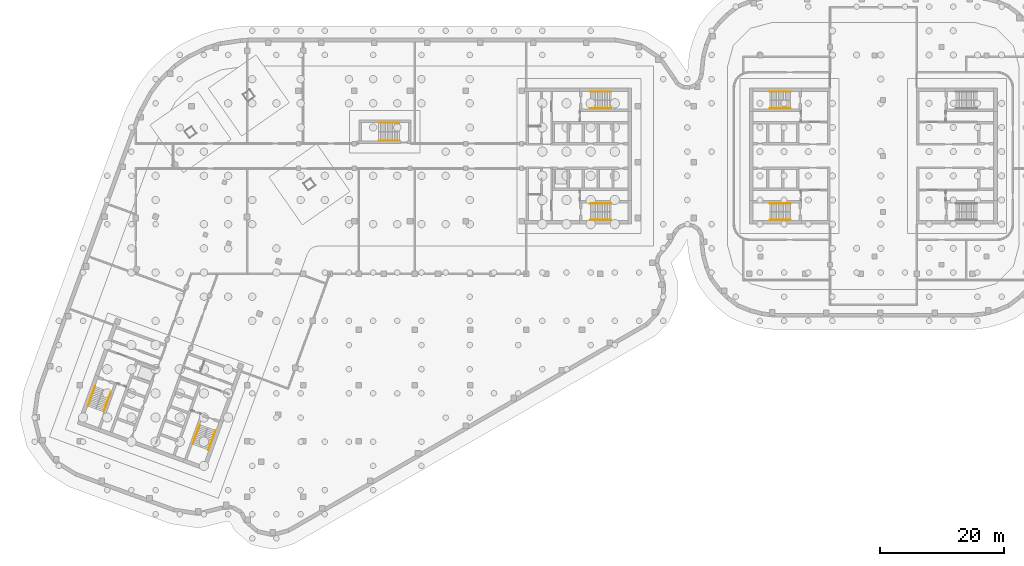
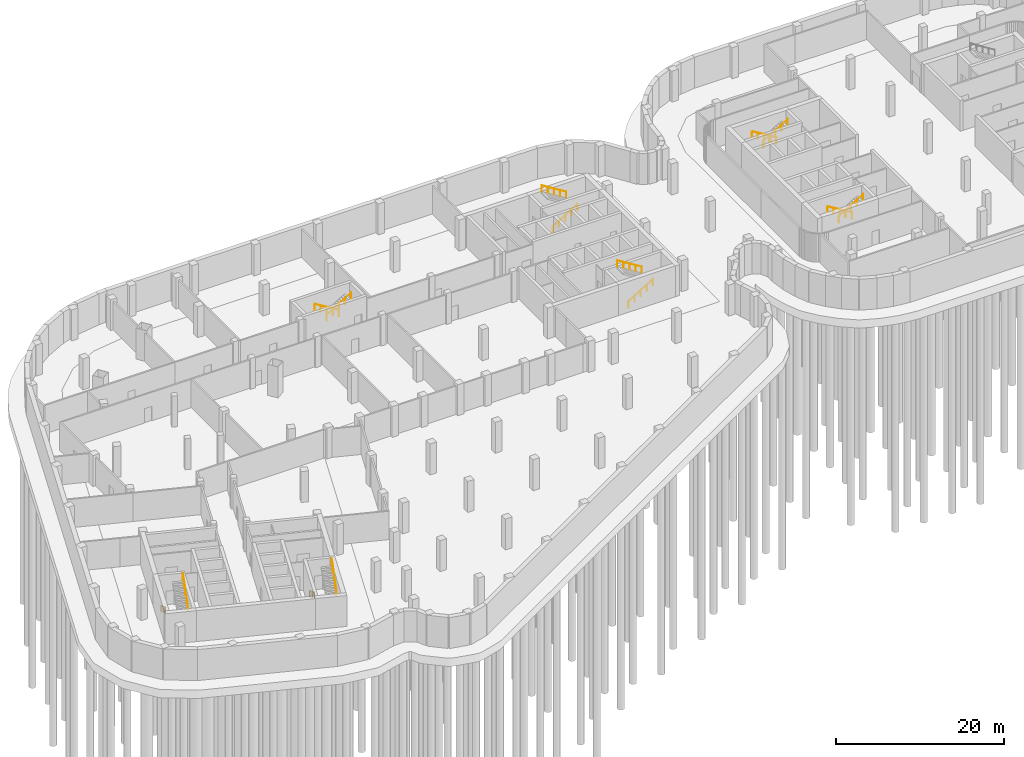
# One storey, part 16 of 18: 14 railings.
"""IFC4 building model written with IfcOpenShell, lengths in metres."""

from ifc_helpers import new_model, si_unit, direction, frame, origin, origin_2d, place, context, subcontext, project, spatial, circle, extrude, material, type_object, element, save


model = new_model("IFC4")

# Units and contexts
model_context = context("Model", 3, precision=1e-05, world=origin(), true_north=direction((0.0, 1.0)))
body_context = subcontext(model_context, "Body", "Model", "MODEL_VIEW")
ifc_project = project(units=[si_unit("LENGTHUNIT", "METRE"), si_unit("AREAUNIT", "SQUARE_METRE"), si_unit("VOLUMEUNIT", "CUBIC_METRE"), si_unit("PLANEANGLEUNIT", "RADIAN"), si_unit("MASSUNIT", "GRAM", prefix="KILO")], contexts=[model_context])

# Site, building, storey
site_placement = place(None, origin())
site = spatial("IfcSite", under=ifc_project, at=site_placement, CompositionType="ELEMENT")
building_placement = place(site_placement, origin())
building = spatial("IfcBuilding", under=site, at=building_placement, Name="Skarvind Civic Tower", CompositionType="ELEMENT")
storey_placement = place(building_placement, frame((0.0, 0.0, -9.0)))
storey = spatial("IfcBuildingStorey", under=building, at=storey_placement, Name="B2", CompositionType="ELEMENT", Elevation=-9.0)

# Railings
ifc_material = material(Name="Painted steel handrail", Category="steel")
railing_type = type_object("IfcRailingType", Name="Stair handrail 900", PredefinedType="HANDRAIL", material=ifc_material)
railing_1_placement = place(storey_placement, frame((101.35009765625, 135.64990234375, 0.173095703125)))
element("IfcRailing", 1, at=railing_1_placement, inside=storey, type_object=railing_type, Name="Stair handrail", PredefinedType="HANDRAIL", context=body_context, shape_type="SweptSolid", body=[
    extrude(circle(Radius=0.02392578125, at=origin_2d()), frame((0.0, 0.0, 0.8759765625), z_axis=(0.850606129759, 0.0, 0.525803396734), x_axis=(0.0, 1.0, 0.0)), (0.0, 0.0, 1.0), 3.949951171875),
    extrude(circle(Radius=0.02099609375, at=origin_2d()), origin(), (0.0, 0.0, 1.0), 0.851806640625),
    extrude(circle(Radius=0.02099609375, at=origin_2d()), frame((0.83984375, 0.0, 0.519287109375)), (0.0, 0.0, 1.0), 0.851806640625),
    extrude(circle(Radius=0.02099609375, at=origin_2d()), frame((1.679931640625, 0.0, 1.03857421875)), (0.0, 0.0, 1.0), 0.851806640625),
    extrude(circle(Radius=0.02099609375, at=origin_2d()), frame((2.52001953125, 0.0, 1.5576171875)), (0.0, 0.0, 1.0), 0.851806640625),
    extrude(circle(Radius=0.02099609375, at=origin_2d()), frame((3.35986328125, 0.0, 2.076904296875)), (0.0, 0.0, 1.0), 0.851806640625),
])
railing_2_placement = place(storey_placement, frame((104.7099609375, 138.35009765625, 2.423095703125)))
element("IfcRailing", 2, at=railing_2_placement, inside=storey, type_object=railing_type, Name="Stair handrail", PredefinedType="HANDRAIL", context=body_context, shape_type="SweptSolid", body=[
    extrude(circle(Radius=0.02392578125, at=origin_2d()), frame((0.0, 0.0, 0.8759765625), z_axis=(-0.850606129759, 0.0, 0.525803396734), x_axis=(0.0, -1.0, 0.0)), (0.0, 0.0, 1.0), 3.949951171875),
    extrude(circle(Radius=0.02099609375, at=origin_2d()), origin(), (0.0, 0.0, 1.0), 0.851806640625),
    extrude(circle(Radius=0.02099609375, at=origin_2d()), frame((-0.83984375, 0.0, 0.519287109375)), (0.0, 0.0, 1.0), 0.851806640625),
    extrude(circle(Radius=0.02099609375, at=origin_2d()), frame((-1.679931640625, 0.0, 1.03857421875)), (0.0, 0.0, 1.0), 0.851806640625),
    extrude(circle(Radius=0.02099609375, at=origin_2d()), frame((-2.52001953125, 0.0, 1.5576171875)), (0.0, 0.0, 1.0), 0.851806640625),
    extrude(circle(Radius=0.02099609375, at=origin_2d()), frame((-3.35986328125, 0.0, 2.076904296875)), (0.0, 0.0, 1.0), 0.851806640625),
])
railing_3_placement = place(storey_placement, frame((101.35009765625, 117.64990234375, 0.173095703125)))
element("IfcRailing", 3, at=railing_3_placement, inside=storey, type_object=railing_type, Name="Stair handrail", PredefinedType="HANDRAIL", context=body_context, shape_type="SweptSolid", body=[
    extrude(circle(Radius=0.02392578125, at=origin_2d()), frame((0.0, 0.0, 0.8759765625), z_axis=(0.850606129759, 0.0, 0.525803396734), x_axis=(0.0, 1.0, 0.0)), (0.0, 0.0, 1.0), 3.949951171875),
    extrude(circle(Radius=0.02099609375, at=origin_2d()), origin(), (0.0, 0.0, 1.0), 0.851806640625),
    extrude(circle(Radius=0.02099609375, at=origin_2d()), frame((0.83984375, 0.0, 0.519287109375)), (0.0, 0.0, 1.0), 0.851806640625),
    extrude(circle(Radius=0.02099609375, at=origin_2d()), frame((1.679931640625, 0.0, 1.03857421875)), (0.0, 0.0, 1.0), 0.851806640625),
    extrude(circle(Radius=0.02099609375, at=origin_2d()), frame((2.52001953125, 0.0, 1.5576171875)), (0.0, 0.0, 1.0), 0.851806640625),
    extrude(circle(Radius=0.02099609375, at=origin_2d()), frame((3.35986328125, 0.0, 2.076904296875)), (0.0, 0.0, 1.0), 0.851806640625),
])
railing_4_placement = place(storey_placement, frame((104.7099609375, 120.35009765625, 2.423095703125)))
element("IfcRailing", 4, at=railing_4_placement, inside=storey, type_object=railing_type, Name="Stair handrail", PredefinedType="HANDRAIL", context=body_context, shape_type="SweptSolid", body=[
    extrude(circle(Radius=0.02392578125, at=origin_2d()), frame((0.0, 0.0, 0.8759765625), z_axis=(-0.850606129759, 0.0, 0.525803396734), x_axis=(0.0, -1.0, 0.0)), (0.0, 0.0, 1.0), 3.949951171875),
    extrude(circle(Radius=0.02099609375, at=origin_2d()), origin(), (0.0, 0.0, 1.0), 0.851806640625),
    extrude(circle(Radius=0.02099609375, at=origin_2d()), frame((-0.83984375, 0.0, 0.519287109375)), (0.0, 0.0, 1.0), 0.851806640625),
    extrude(circle(Radius=0.02099609375, at=origin_2d()), frame((-1.679931640625, 0.0, 1.03857421875)), (0.0, 0.0, 1.0), 0.851806640625),
    extrude(circle(Radius=0.02099609375, at=origin_2d()), frame((-2.52001953125, 0.0, 1.5576171875)), (0.0, 0.0, 1.0), 0.851806640625),
    extrude(circle(Radius=0.02099609375, at=origin_2d()), frame((-3.35986328125, 0.0, 2.076904296875)), (0.0, 0.0, 1.0), 0.851806640625),
])
railing_5_placement = place(storey_placement, frame((38.362060546875, 84.64794921875, 0.173095703125)))
element("IfcRailing", 5, at=railing_5_placement, inside=storey, type_object=railing_type, Name="Stair handrail", PredefinedType="HANDRAIL", context=body_context, shape_type="SweptSolid", body=[
    extrude(circle(Radius=0.02392578125, at=origin_2d()), frame((0.0, 0.0, 0.8759765625), z_axis=(-0.290917494886, -0.799327801436, 0.525777592733), x_axis=(0.939697922535, -0.342005576538, 0.0)), (0.0, 0.0, 1.0), 3.9501953125),
    extrude(circle(Radius=0.02099609375, at=origin_2d()), origin(), (0.0, 0.0, 1.0), 0.851806640625),
    extrude(circle(Radius=0.02099609375, at=origin_2d()), frame((-0.287353515625, -0.789306640625, 0.519287109375)), (0.0, 0.0, 1.0), 0.851806640625),
    extrude(circle(Radius=0.02099609375, at=origin_2d()), frame((-0.57470703125, -1.57861328125, 1.03857421875)), (0.0, 0.0, 1.0), 0.851806640625),
    extrude(circle(Radius=0.02099609375, at=origin_2d()), frame((-0.86181640625, -2.3681640625, 1.5576171875)), (0.0, 0.0, 1.0), 0.851806640625),
    extrude(circle(Radius=0.02099609375, at=origin_2d()), frame((-1.149169921875, -3.157470703125, 2.076904296875)), (0.0, 0.0, 1.0), 0.851806640625),
])
railing_6_placement = place(storey_placement, frame((39.75, 80.567138671875, 2.423095703125)))
element("IfcRailing", 6, at=railing_6_placement, inside=storey, type_object=railing_type, Name="Stair handrail", PredefinedType="HANDRAIL", context=body_context, shape_type="SweptSolid", body=[
    extrude(circle(Radius=0.02392578125, at=origin_2d()), frame((0.0, 0.0, 0.8759765625), z_axis=(0.290931867501, 0.799305483434, 0.525803568479), x_axis=(-0.939689422908, 0.342028929294, 0.0)), (0.0, 0.0, 1.0), 3.949951171875),
    extrude(circle(Radius=0.02099609375, at=origin_2d()), origin(), (0.0, 0.0, 1.0), 0.851806640625),
    extrude(circle(Radius=0.02099609375, at=origin_2d()), frame((0.287353515625, 0.789306640625, 0.519287109375)), (0.0, 0.0, 1.0), 0.851806640625),
    extrude(circle(Radius=0.02099609375, at=origin_2d()), frame((0.57470703125, 1.57861328125, 1.03857421875)), (0.0, 0.0, 1.0), 0.851806640625),
    extrude(circle(Radius=0.02099609375, at=origin_2d()), frame((0.86181640625, 2.367919921875, 1.5576171875)), (0.0, 0.0, 1.0), 0.851806640625),
    extrude(circle(Radius=0.02099609375, at=origin_2d()), frame((1.149169921875, 3.1572265625, 2.076904296875)), (0.0, 0.0, 1.0), 0.851806640625),
])
railing_7_placement = place(storey_placement, frame((21.447509765625, 90.80419921875, 0.173095703125)))
element("IfcRailing", 7, at=railing_7_placement, inside=storey, type_object=railing_type, Name="Stair handrail", PredefinedType="HANDRAIL", context=body_context, shape_type="SweptSolid", body=[
    extrude(circle(Radius=0.02392578125, at=origin_2d()), frame((0.0, 0.0, 0.8759765625), z_axis=(-0.290931867501, -0.799305483434, 0.525803568479), x_axis=(0.939689422908, -0.342028929294, 0.0)), (0.0, 0.0, 1.0), 3.949951171875),
    extrude(circle(Radius=0.02099609375, at=origin_2d()), origin(), (0.0, 0.0, 1.0), 0.851806640625),
    extrude(circle(Radius=0.02099609375, at=origin_2d()), frame((-0.287353515625, -0.789306640625, 0.519287109375)), (0.0, 0.0, 1.0), 0.851806640625),
    extrude(circle(Radius=0.02099609375, at=origin_2d()), frame((-0.57470703125, -1.57861328125, 1.03857421875)), (0.0, 0.0, 1.0), 0.851806640625),
    extrude(circle(Radius=0.02099609375, at=origin_2d()), frame((-0.86181640625, -2.367919921875, 1.5576171875)), (0.0, 0.0, 1.0), 0.851806640625),
    extrude(circle(Radius=0.02099609375, at=origin_2d()), frame((-1.149169921875, -3.1572265625, 2.076904296875)), (0.0, 0.0, 1.0), 0.851806640625),
])
railing_8_placement = place(storey_placement, frame((22.835693359375, 86.723388671875, 2.423095703125)))
element("IfcRailing", 8, at=railing_8_placement, inside=storey, type_object=railing_type, Name="Stair handrail", PredefinedType="HANDRAIL", context=body_context, shape_type="SweptSolid", body=[
    extrude(circle(Radius=0.02392578125, at=origin_2d()), frame((0.0, 0.0, 0.8759765625), z_axis=(0.290917494886, 0.799327801436, 0.525777592733), x_axis=(-0.939697922535, 0.342005576538, 0.0)), (0.0, 0.0, 1.0), 3.9501953125),
    extrude(circle(Radius=0.02099609375, at=origin_2d()), origin(), (0.0, 0.0, 1.0), 0.851806640625),
    extrude(circle(Radius=0.02099609375, at=origin_2d()), frame((0.287353515625, 0.789306640625, 0.519287109375)), (0.0, 0.0, 1.0), 0.851806640625),
    extrude(circle(Radius=0.02099609375, at=origin_2d()), frame((0.57470703125, 1.57861328125, 1.03857421875)), (0.0, 0.0, 1.0), 0.851806640625),
    extrude(circle(Radius=0.02099609375, at=origin_2d()), frame((0.86181640625, 2.3681640625, 1.5576171875)), (0.0, 0.0, 1.0), 0.851806640625),
    extrude(circle(Radius=0.02099609375, at=origin_2d()), frame((1.149169921875, 3.157470703125, 2.076904296875)), (0.0, 0.0, 1.0), 0.851806640625),
])
railing_9_placement = place(storey_placement, frame((133.64990234375, 120.35009765625, 0.173095703125)))
element("IfcRailing", 9, at=railing_9_placement, inside=storey, type_object=railing_type, Name="Stair handrail", PredefinedType="HANDRAIL", context=body_context, shape_type="SweptSolid", body=[
    extrude(circle(Radius=0.02392578125, at=origin_2d()), frame((0.0, 0.0, 0.8759765625), z_axis=(-0.850606129759, 0.0, 0.525803396734), x_axis=(0.0, -1.0, 0.0)), (0.0, 0.0, 1.0), 3.949951171875),
    extrude(circle(Radius=0.02099609375, at=origin_2d()), origin(), (0.0, 0.0, 1.0), 0.851806640625),
    extrude(circle(Radius=0.02099609375, at=origin_2d()), frame((-0.83984375, 0.0, 0.519287109375)), (0.0, 0.0, 1.0), 0.851806640625),
    extrude(circle(Radius=0.02099609375, at=origin_2d()), frame((-1.679931640625, 0.0, 1.03857421875)), (0.0, 0.0, 1.0), 0.851806640625),
    extrude(circle(Radius=0.02099609375, at=origin_2d()), frame((-2.52001953125, 0.0, 1.5576171875)), (0.0, 0.0, 1.0), 0.851806640625),
    extrude(circle(Radius=0.02099609375, at=origin_2d()), frame((-3.35986328125, 0.0, 2.076904296875)), (0.0, 0.0, 1.0), 0.851806640625),
])
railing_10_placement = place(storey_placement, frame((130.2900390625, 117.64990234375, 2.423095703125)))
element("IfcRailing", 10, at=railing_10_placement, inside=storey, type_object=railing_type, Name="Stair handrail", PredefinedType="HANDRAIL", context=body_context, shape_type="SweptSolid", body=[
    extrude(circle(Radius=0.02392578125, at=origin_2d()), frame((0.0, 0.0, 0.8759765625), z_axis=(0.850606129759, 0.0, 0.525803396734), x_axis=(0.0, 1.0, 0.0)), (0.0, 0.0, 1.0), 3.949951171875),
    extrude(circle(Radius=0.02099609375, at=origin_2d()), origin(), (0.0, 0.0, 1.0), 0.851806640625),
    extrude(circle(Radius=0.02099609375, at=origin_2d()), frame((0.83984375, 0.0, 0.519287109375)), (0.0, 0.0, 1.0), 0.851806640625),
    extrude(circle(Radius=0.02099609375, at=origin_2d()), frame((1.679931640625, 0.0, 1.03857421875)), (0.0, 0.0, 1.0), 0.851806640625),
    extrude(circle(Radius=0.02099609375, at=origin_2d()), frame((2.52001953125, 0.0, 1.5576171875)), (0.0, 0.0, 1.0), 0.851806640625),
    extrude(circle(Radius=0.02099609375, at=origin_2d()), frame((3.35986328125, 0.0, 2.076904296875)), (0.0, 0.0, 1.0), 0.851806640625),
])
railing_11_placement = place(storey_placement, frame((133.64990234375, 138.35009765625, 0.173095703125)))
element("IfcRailing", 11, at=railing_11_placement, inside=storey, type_object=railing_type, Name="Stair handrail", PredefinedType="HANDRAIL", context=body_context, shape_type="SweptSolid", body=[
    extrude(circle(Radius=0.02392578125, at=origin_2d()), frame((0.0, 0.0, 0.8759765625), z_axis=(-0.850606129759, 0.0, 0.525803396734), x_axis=(0.0, -1.0, 0.0)), (0.0, 0.0, 1.0), 3.949951171875),
    extrude(circle(Radius=0.02099609375, at=origin_2d()), origin(), (0.0, 0.0, 1.0), 0.851806640625),
    extrude(circle(Radius=0.02099609375, at=origin_2d()), frame((-0.83984375, 0.0, 0.519287109375)), (0.0, 0.0, 1.0), 0.851806640625),
    extrude(circle(Radius=0.02099609375, at=origin_2d()), frame((-1.679931640625, 0.0, 1.03857421875)), (0.0, 0.0, 1.0), 0.851806640625),
    extrude(circle(Radius=0.02099609375, at=origin_2d()), frame((-2.52001953125, 0.0, 1.5576171875)), (0.0, 0.0, 1.0), 0.851806640625),
    extrude(circle(Radius=0.02099609375, at=origin_2d()), frame((-3.35986328125, 0.0, 2.076904296875)), (0.0, 0.0, 1.0), 0.851806640625),
])
railing_12_placement = place(storey_placement, frame((130.2900390625, 135.64990234375, 2.423095703125)))
element("IfcRailing", 12, at=railing_12_placement, inside=storey, type_object=railing_type, Name="Stair handrail", PredefinedType="HANDRAIL", context=body_context, shape_type="SweptSolid", body=[
    extrude(circle(Radius=0.02392578125, at=origin_2d()), frame((0.0, 0.0, 0.8759765625), z_axis=(0.850606129759, 0.0, 0.525803396734), x_axis=(0.0, 1.0, 0.0)), (0.0, 0.0, 1.0), 3.949951171875),
    extrude(circle(Radius=0.02099609375, at=origin_2d()), origin(), (0.0, 0.0, 1.0), 0.851806640625),
    extrude(circle(Radius=0.02099609375, at=origin_2d()), frame((0.83984375, 0.0, 0.519287109375)), (0.0, 0.0, 1.0), 0.851806640625),
    extrude(circle(Radius=0.02099609375, at=origin_2d()), frame((1.679931640625, 0.0, 1.03857421875)), (0.0, 0.0, 1.0), 0.851806640625),
    extrude(circle(Radius=0.02099609375, at=origin_2d()), frame((2.52001953125, 0.0, 1.5576171875)), (0.0, 0.0, 1.0), 0.851806640625),
    extrude(circle(Radius=0.02099609375, at=origin_2d()), frame((3.35986328125, 0.0, 2.076904296875)), (0.0, 0.0, 1.0), 0.851806640625),
])
railing_13_placement = place(storey_placement, frame((70.550048828125, 133.35009765625, 0.173095703125)))
element("IfcRailing", 13, at=railing_13_placement, inside=storey, type_object=railing_type, Name="Stair handrail", PredefinedType="HANDRAIL", context=body_context, shape_type="SweptSolid", body=[
    extrude(circle(Radius=0.02392578125, at=origin_2d()), frame((0.0, 0.0, 0.8759765625), z_axis=(-0.850623216509, 0.0, 0.525775754039), x_axis=(0.0, -1.0, 0.0)), (0.0, 0.0, 1.0), 3.9501953125),
    extrude(circle(Radius=0.02099609375, at=origin_2d()), origin(), (0.0, 0.0, 1.0), 0.851806640625),
    extrude(circle(Radius=0.02099609375, at=origin_2d()), frame((-0.840087890625, 0.0, 0.519287109375)), (0.0, 0.0, 1.0), 0.851806640625),
    extrude(circle(Radius=0.02099609375, at=origin_2d()), frame((-1.68017578125, 0.0, 1.03857421875)), (0.0, 0.0, 1.0), 0.851806640625),
    extrude(circle(Radius=0.02099609375, at=origin_2d()), frame((-2.52001953125, 0.0, 1.5576171875)), (0.0, 0.0, 1.0), 0.851806640625),
    extrude(circle(Radius=0.02099609375, at=origin_2d()), frame((-3.360107421875, 0.0, 2.076904296875)), (0.0, 0.0, 1.0), 0.851806640625),
])
railing_14_placement = place(storey_placement, frame((67.18994140625, 130.449951171875, 2.423095703125)))
element("IfcRailing", 14, at=railing_14_placement, inside=storey, type_object=railing_type, Name="Stair handrail", PredefinedType="HANDRAIL", context=body_context, shape_type="SweptSolid", body=[
    extrude(circle(Radius=0.02392578125, at=origin_2d()), frame((0.0, 0.0, 0.8759765625), z_axis=(0.850623216509, 0.0, 0.525775754039), x_axis=(0.0, 1.0, 0.0)), (0.0, 0.0, 1.0), 3.9501953125),
    extrude(circle(Radius=0.02099609375, at=origin_2d()), origin(), (0.0, 0.0, 1.0), 0.851806640625),
    extrude(circle(Radius=0.02099609375, at=origin_2d()), frame((0.840087890625, 0.0, 0.519287109375)), (0.0, 0.0, 1.0), 0.851806640625),
    extrude(circle(Radius=0.02099609375, at=origin_2d()), frame((1.68017578125, 0.0, 1.03857421875)), (0.0, 0.0, 1.0), 0.851806640625),
    extrude(circle(Radius=0.02099609375, at=origin_2d()), frame((2.52001953125, 0.0, 1.5576171875)), (0.0, 0.0, 1.0), 0.851806640625),
    extrude(circle(Radius=0.02099609375, at=origin_2d()), frame((3.360107421875, 0.0, 2.076904296875)), (0.0, 0.0, 1.0), 0.851806640625),
])

save(model, "model.ifc")
